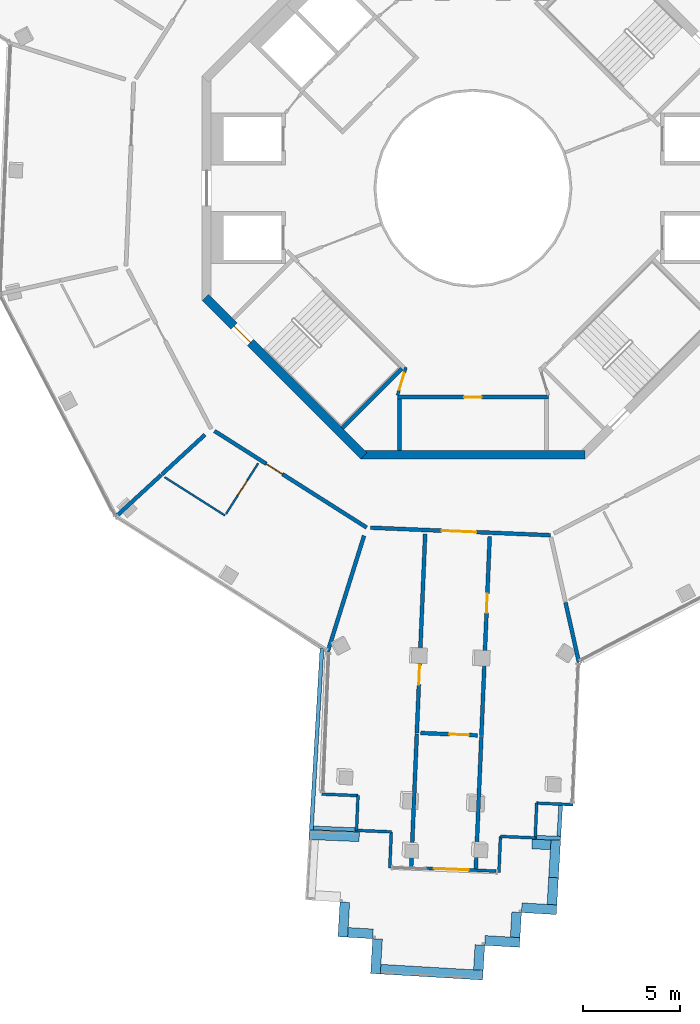
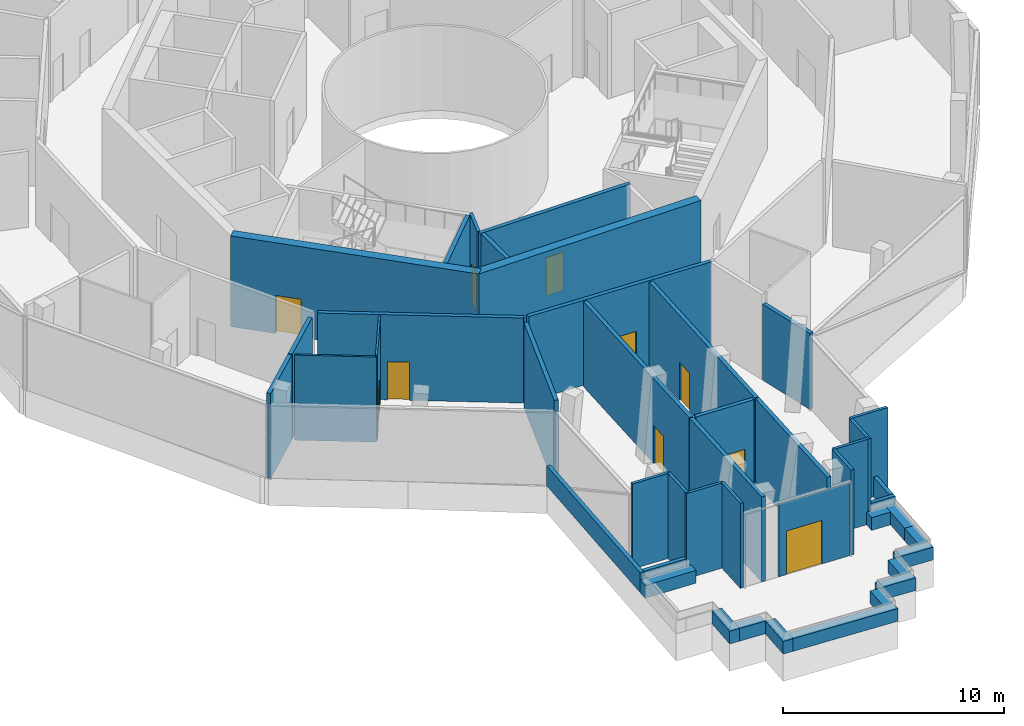
# One storey, part 11 of 21: 44 walls, 10 doors, 10 openings.
"""IFC4 building model written with IfcOpenShell, lengths in metres."""

from ifc_helpers import new_model, si_unit, direction, frame, frame_2d, origin, place, context, subcontext, project, spatial, rectangle, extrude, material, layer, layer_set, type_object, element, fill, save


model = new_model("IFC4")

# Units and contexts
model_context = context("Model", 3, precision=1e-05, world=origin(), true_north=direction((0.0, 1.0)))
body_context = subcontext(model_context, "Body", "Model", "MODEL_VIEW")
ifc_project = project(units=[si_unit("LENGTHUNIT", "METRE"), si_unit("AREAUNIT", "SQUARE_METRE"), si_unit("VOLUMEUNIT", "CUBIC_METRE"), si_unit("PLANEANGLEUNIT", "RADIAN"), si_unit("MASSUNIT", "GRAM", prefix="KILO")], contexts=[model_context])

# Site, building, storey
site_placement = place(None, origin())
site = spatial("IfcSite", under=ifc_project, at=site_placement, CompositionType="ELEMENT")
building_placement = place(site_placement, origin())
building = spatial("IfcBuilding", under=site, at=building_placement, Name="Verdalira Terraces Hotel", CompositionType="ELEMENT")
storey_placement = place(building_placement, frame((0.0, 0.0, 269.0)))
storey = spatial("IfcBuildingStorey", under=building, at=storey_placement, Name="L66", CompositionType="ELEMENT", Elevation=269.0)

# Walls
ifc_material_1 = material(Name="Concrete C40", Category="concrete")
ifc_layer_1 = layer(ifc_material_1, 0.5)
ifc_layer_set_1 = layer_set([ifc_layer_1], Name="Balcony planter trough with tree")
wall_type_1 = type_object("IfcWallType", Name="Balcony planter trough with tree", PredefinedType="SOLIDWALL", material=ifc_layer_set_1)
wall_1_placement = place(storey_placement, frame((-5.879883, -33.538574, 0.0), z_axis=(0.0, 0.0, 1.0), x_axis=(-0.99912128, 0.04191261, 0.0)))
element("IfcWall", 1, at=wall_1_placement, inside=storey, type_object=wall_type_1, Name="Balcony planter", PredefinedType="SOLIDWALL", context=body_context, shape_type="SweptSolid", body=[
    extrude(rectangle(XDim=2.592041, YDim=0.5, at=frame_2d((1.295898, 0.0))), origin(), (0.0, 0.0, 1.0), 0.699951),
])
wall_2_placement = place(storey_placement, frame((-6.625244, -36.918457, 0.0), z_axis=(0.0, 0.0, 1.0), x_axis=(-0.058594804, -0.998281848, 0.0)))
element("IfcWall", 2, at=wall_2_placement, inside=storey, type_object=wall_type_1, Name="Balcony planter", PredefinedType="SOLIDWALL", context=body_context, shape_type="SweptSolid", body=[
    extrude(rectangle(XDim=1.800049, YDim=0.5, at=frame_2d((0.899902, 0.0))), origin(), (0.0, 0.0, 1.0), 0.699951),
])
wall_3_placement = place(storey_placement, frame((-6.466309, -38.480469, 0.0), z_axis=(0.0, 0.0, 1.0), x_axis=(0.99828149, -0.058600908, 0.0)))
element("IfcWall", 3, at=wall_3_placement, inside=storey, type_object=wall_type_1, Name="Balcony planter", PredefinedType="SOLIDWALL", context=body_context, shape_type="SweptSolid", body=[
    extrude(rectangle(XDim=1.299805, YDim=0.5, at=frame_2d((0.649902, 0.0))), origin(), (0.0, 0.0, 1.0), 0.699951),
])
wall_4_placement = place(storey_placement, frame((-4.933838, -38.820801, 0.0), z_axis=(0.0, 0.0, 1.0), x_axis=(-0.058594804, -0.998281848, 0.0)))
element("IfcWall", 4, at=wall_4_placement, inside=storey, type_object=wall_type_1, Name="Balcony planter", PredefinedType="SOLIDWALL", context=body_context, shape_type="SweptSolid", body=[
    extrude(rectangle(XDim=1.800049, YDim=0.5, at=frame_2d((0.899902, 0.0))), origin(), (0.0, 0.0, 1.0), 0.699951),
])
wall_5_placement = place(storey_placement, frame((-4.774902, -40.382812, 0.0), z_axis=(0.0, 0.0, 1.0), x_axis=(0.998281831, -0.058595104, 0.0)))
element("IfcWall", 5, at=wall_5_placement, inside=storey, type_object=wall_type_1, Name="Balcony planter", PredefinedType="SOLIDWALL", context=body_context, shape_type="SweptSolid", body=[
    extrude(rectangle(XDim=5.299805, YDim=0.5, at=frame_2d((2.649902, 0.0))), origin(), (0.0, 0.0, 1.0), 0.699951),
])
wall_6_placement = place(storey_placement, frame((0.281006, -40.429199, 0.0), z_axis=(0.0, 0.0, 1.0), x_axis=(0.058589922, 0.998282135, 0.0)))
element("IfcWall", 6, at=wall_6_placement, inside=storey, type_object=wall_type_1, Name="Balcony planter", PredefinedType="SOLIDWALL", context=body_context, shape_type="SweptSolid", body=[
    extrude(rectangle(XDim=1.300049, YDim=0.5, at=frame_2d((0.649902, 0.0))), origin(), (0.0, 0.0, 1.0), 0.699951),
])
wall_7_placement = place(storey_placement, frame((0.621338, -38.896484, 0.0), z_axis=(0.0, 0.0, 1.0), x_axis=(0.998281848, -0.058594804, 0.0)))
element("IfcWall", 7, at=wall_7_placement, inside=storey, type_object=wall_type_1, Name="Balcony planter", PredefinedType="SOLIDWALL", context=body_context, shape_type="SweptSolid", body=[
    extrude(rectangle(XDim=1.800049, YDim=0.5, at=frame_2d((0.899902, 0.0))), origin(), (0.0, 0.0, 1.0), 0.699951),
])
wall_8_placement = place(storey_placement, frame((2.18335, -38.737793, 0.0), z_axis=(0.0, 0.0, 1.0), x_axis=(0.058589922, 0.998282135, 0.0)))
element("IfcWall", 8, at=wall_8_placement, inside=storey, type_object=wall_type_1, Name="Balcony planter", PredefinedType="SOLIDWALL", context=body_context, shape_type="SweptSolid", body=[
    extrude(rectangle(XDim=1.300049, YDim=0.5, at=frame_2d((0.649902, 0.0))), origin(), (0.0, 0.0, 1.0), 0.699951),
])
wall_9_placement = place(storey_placement, frame((2.523682, -37.205078, 0.0), z_axis=(0.0, 0.0, 1.0), x_axis=(0.998281848, -0.058594804, 0.0)))
element("IfcWall", 9, at=wall_9_placement, inside=storey, type_object=wall_type_1, Name="Balcony planter", PredefinedType="SOLIDWALL", context=body_context, shape_type="SweptSolid", body=[
    extrude(rectangle(XDim=1.800049, YDim=0.5, at=frame_2d((0.899902, 0.0))), origin(), (0.0, 0.0, 1.0), 0.699951),
])
wall_10_placement = place(storey_placement, frame((4.085693, -37.046387, 0.0), z_axis=(0.0, 0.0, 1.0), x_axis=(0.058640418, 0.99827917, 0.0)))
element("IfcWall", 10, at=wall_10_placement, inside=storey, type_object=wall_type_1, Name="Balcony planter", PredefinedType="SOLIDWALL", context=body_context, shape_type="SweptSolid", body=[
    extrude(rectangle(XDim=1.403076, YDim=0.5, at=frame_2d((0.70166, 0.0))), origin(), (0.0, 0.0, 1.0), 0.699951),
])
wall_11_placement = place(storey_placement, frame((4.167969, -35.645752, 0.0), z_axis=(0.0, 0.0, 1.0), x_axis=(0.058670359, 0.998277411, 0.0)))
element("IfcWall", 11, at=wall_11_placement, inside=storey, type_object=wall_type_1, Name="Balcony planter", PredefinedType="SOLIDWALL", context=body_context, shape_type="SweptSolid", body=[
    extrude(rectangle(XDim=1.939209, YDim=0.5, at=frame_2d((0.969727, 0.0))), origin(), (0.0, 0.0, 1.0), 0.699951),
])
wall_12_placement = place(storey_placement, frame((4.02124, -33.953613, 0.0), z_axis=(0.0, 0.0, 1.0), x_axis=(-0.999125196, 0.041819158, 0.0)))
element("IfcWall", 12, at=wall_12_placement, inside=storey, type_object=wall_type_1, Name="Balcony planter", PredefinedType="SOLIDWALL", context=body_context, shape_type="SweptSolid", body=[
    extrude(rectangle(XDim=0.968994, YDim=0.5, at=frame_2d((0.484375, 0.0))), origin(), (0.0, 0.0, 1.0), 0.699951),
])
ifc_material_2 = material(Name="Moisture-resistant gypsum board partition")
ifc_layer_2 = layer(ifc_material_2, 0.10009765625)
ifc_layer_set_2 = layer_set([ifc_layer_2], Name="Bathroom partition 100 mm")
wall_type_2 = type_object("IfcWallType", Name="Bathroom partition 100 mm", PredefinedType="PARTITIONING", material=ifc_layer_set_2)
wall_13_placement = place(storey_placement, frame((-12.821777, -16.922363, 0.0), z_axis=(0.0, 0.0, 1.0), x_axis=(-0.844342036, 0.53580456, 0.0)))
element("IfcWall", 13, at=wall_13_placement, inside=storey, type_object=wall_type_2, Name="Bathroom partition", PredefinedType="PARTITIONING", context=body_context, shape_type="SweptSolid", body=[
    extrude(rectangle(XDim=3.704102, YDim=0.100098, at=frame_2d((1.852051, 0.0))), origin(), (0.0, 0.0, 1.0), 4.689941),
])

# Wall, opening, door
wall_14_placement = place(storey_placement, frame((-12.768311, -16.837891, 0.0), z_axis=(0.0, 0.0, 1.0), x_axis=(0.535876266, 0.844296528, 0.0)))
wall_14 = element("IfcWall", 14, at=wall_14_placement, inside=storey, type_object=wall_type_2, Name="Bathroom partition", PredefinedType="PARTITIONING", context=body_context, shape_type="SweptSolid", body=[
    extrude(rectangle(XDim=3.099854, YDim=0.100098, at=frame_2d((1.549805, 0.0))), origin(), (0.0, 0.0, 1.0), 4.689941),
])
opening_1_placement = place(wall_14_placement, frame((1.149902, 0.0, 0.0)))
opening_1 = element("IfcOpeningElement", 15, at=opening_1_placement, cuts=wall_14, Name="Opening L66-109", PredefinedType="OPENING", context=body_context, shape_type="SweptSolid", body=[
    extrude(rectangle(XDim=0.899902, YDim=2.100098, at=frame_2d((0.449951, 1.050049))), frame((0.0, 0.060059, 0.0), z_axis=(0.0, -1.0, 0.0), x_axis=(1.0, 0.0, 0.0)), (0.0, 0.0, 1.0), 0.120117),
])
ifc_material_3 = material(Name="Timber door", Category="wood")
door_type_1 = type_object("IfcDoorType", Name="Bathroom door 900 x 2100", OperationType="NOTDEFINED", PredefinedType="DOOR", material=ifc_material_3)
door_1_placement = place(opening_1_placement, origin())
door_1 = element("IfcDoor", 16, at=door_1_placement, inside=storey, type_object=door_type_1, Name="Bathroom door 6604", OperationType="SINGLE_SWING_LEFT", OverallHeight=2.10009765625, OverallWidth=0.89990234375, PredefinedType="DOOR", context=body_context, shape_type="SweptSolid", body=[
    extrude(rectangle(XDim=0.899902, YDim=2.100098, at=frame_2d((0.449951, 1.050049))), frame((0.0, 0.024902, 0.0), z_axis=(0.0, -1.0, 0.0), x_axis=(1.0, 0.0, 0.0)), (0.0, 0.0, 1.0), 0.050049),
])
fill(opening_1, door_1)

ifc_material_4 = material(Name="Concrete C50", Category="concrete")
ifc_layer_3 = layer(ifc_material_4, 0.199951171875)
ifc_layer_set_3 = layer_set([ifc_layer_3], Name="Core RC wall 200 C50")
wall_type_3 = type_object("IfcWallType", Name="Core RC wall 200 C50", PredefinedType="SOLIDWALL", material=ifc_layer_set_3)
wall_15_placement = place(storey_placement, frame((-3.899902, -10.800049, 0.0), z_axis=(0.0, 0.0, 1.0), x_axis=(1.0, 0.0, 0.0)))
wall_15 = element("IfcWall", 17, at=wall_15_placement, inside=storey, type_object=wall_type_3, Name="L66 store front wall", PredefinedType="SOLIDWALL", context=body_context, shape_type="SweptSolid", body=[
    extrude(rectangle(XDim=7.799805, YDim=0.199951, at=frame_2d((3.899902, 0.0))), origin(), (0.0, 0.0, 1.0), 4.689941),
])
opening_2_placement = place(wall_15_placement, frame((3.449951, 0.0, 0.0)))
opening_2 = element("IfcOpeningElement", 18, at=opening_2_placement, cuts=wall_15, Name="Opening L66-801", PredefinedType="OPENING", context=body_context, shape_type="SweptSolid", body=[
    extrude(rectangle(XDim=0.899902, YDim=2.100098, at=frame_2d((0.449951, 1.050049))), frame((0.0, 0.109863, 0.0), z_axis=(0.0, -1.0, 0.0), x_axis=(1.0, 0.0, 0.0)), (0.0, 0.0, 1.0), 0.219971),
])
ifc_material_5 = material(Name="Steel fire door", Category="steel")
door_type_2 = type_object("IfcDoorType", Name="Core room door 900 x 2100", OperationType="NOTDEFINED", PredefinedType="DOOR", material=ifc_material_5)
door_2_placement = place(opening_2_placement, origin())
door_2 = element("IfcDoor", 19, at=door_2_placement, inside=storey, type_object=door_type_2, Name="Store door L66 SS", OperationType="SINGLE_SWING_LEFT", OverallHeight=2.10009765625, OverallWidth=0.89990234375, PredefinedType="DOOR", context=body_context, shape_type="SweptSolid", body=[
    extrude(rectangle(XDim=0.899902, YDim=2.100098, at=frame_2d((0.449951, 1.050049))), frame((0.0, 0.024902, 0.0), z_axis=(0.0, -1.0, 0.0), x_axis=(1.0, 0.0, 0.0)), (0.0, 0.0, 1.0), 0.050049),
])
fill(opening_2, door_2)

# Walls
wall_16_placement = place(storey_placement, frame((-3.800049, -10.899902, 0.0), z_axis=(0.0, 0.0, 1.0), x_axis=(0.0, -1.0, 0.0)))
element("IfcWall", 20, at=wall_16_placement, inside=storey, type_object=wall_type_3, Name="L66 store side wall", PredefinedType="SOLIDWALL", context=body_context, shape_type="SweptSolid", body=[
    extrude(rectangle(XDim=2.650146, YDim=0.199951, at=frame_2d((1.325195, 0.0))), origin(), (0.0, 0.0, 1.0), 4.689941),
])
wall_17_placement = place(storey_placement, frame((-3.677002, -9.33374, 0.0), z_axis=(0.0, 0.0, 1.0), x_axis=(-0.707106781, -0.707106781, 0.0)))
element("IfcWall", 21, at=wall_17_placement, inside=storey, type_object=wall_type_3, Name="L66 stair ST2 end wall 2", PredefinedType="SOLIDWALL", context=body_context, shape_type="SweptSolid", body=[
    extrude(rectangle(XDim=4.350098, YDim=0.199951, at=frame_2d((2.175049, 0.0))), origin(), (0.0, 0.0, 1.0), 4.689941),
])

# Wall, opening, door
ifc_material_6 = material(Name="Gypsum board partition")
ifc_layer_4 = layer(ifc_material_6, 0.14990234375)
ifc_layer_set_4 = layer_set([ifc_layer_4], Name="Core partition 150 mm")
wall_type_4 = type_object("IfcWallType", Name="Core partition 150 mm", PredefinedType="PARTITIONING", material=ifc_layer_set_4)
wall_18_placement = place(storey_placement, frame((-3.464844, -9.263184, 0.0), z_axis=(0.0, 0.0, 1.0), x_axis=(-0.289808785, -0.957084567, 0.0)))
wall_18 = element("IfcWall", 22, at=wall_18_placement, inside=storey, type_object=wall_type_4, Name="Room partition L66", PredefinedType="PARTITIONING", context=body_context, shape_type="SweptSolid", body=[
    extrude(rectangle(XDim=1.501221, YDim=0.149902, at=frame_2d((0.750488, 0.0))), origin(), (0.0, 0.0, 1.0), 4.689941),
])
opening_3_placement = place(wall_18_placement, frame((0.300781, 0.0, 0.0)))
opening_3 = element("IfcOpeningElement", 23, at=opening_3_placement, cuts=wall_18, Name="Opening L66-822", PredefinedType="OPENING", context=body_context, shape_type="SweptSolid", body=[
    extrude(rectangle(XDim=0.899902, YDim=2.100098, at=frame_2d((0.449951, 1.050049))), frame((0.0, 0.084961, 0.0), z_axis=(0.0, -1.0, 0.0), x_axis=(1.0, 0.0, 0.0)), (0.0, 0.0, 1.0), 0.169922),
])
door_3_placement = place(opening_3_placement, origin())
door_3 = element("IfcDoor", 24, at=door_3_placement, inside=storey, type_object=door_type_2, Name="Door L66 room5", OperationType="SINGLE_SWING_LEFT", OverallHeight=2.10009765625, OverallWidth=0.89990234375, PredefinedType="DOOR", context=body_context, shape_type="SweptSolid", body=[
    extrude(rectangle(XDim=0.899902, YDim=2.100098, at=frame_2d((0.449951, 1.050049))), frame((0.0, 0.024902, 0.0), z_axis=(0.0, -1.0, 0.0), x_axis=(1.0, 0.0, 0.0)), (0.0, 0.0, 1.0), 0.050049),
])
fill(opening_3, door_3)

ifc_material_7 = material(Name="Concrete C50", Category="concrete")
ifc_layer_5 = layer(ifc_material_7, 0.449951171875)
ifc_layer_set_5 = layer_set([ifc_layer_5], Name="Core wall 450 C50")
wall_type_5 = type_object("IfcWallType", Name="Core wall 450 C50", PredefinedType="SHEAR", material=ifc_layer_set_5)
wall_19_placement = place(storey_placement, frame((-13.84082, -5.639893, 0.0), z_axis=(0.0, 0.0, 1.0), x_axis=(0.707106781, -0.707106781, 0.0)))
wall_19 = element("IfcWall", 25, at=wall_19_placement, inside=storey, type_object=wall_type_5, Name="Core wall CW-L66-6", PredefinedType="SHEAR", context=body_context, shape_type="SweptSolid", body=[
    extrude(rectangle(XDim=11.5979, YDim=0.449951, at=frame_2d((5.798828, 0.0))), origin(), (0.0, 0.0, 1.0), 5.0),
])
opening_4_placement = place(wall_19_placement, frame((2.099121, 0.0, 0.0)))
opening_4 = element("IfcOpeningElement", 26, at=opening_4_placement, cuts=wall_19, Name="Opening L66-817", PredefinedType="OPENING", context=body_context, shape_type="SweptSolid", body=[
    extrude(rectangle(XDim=1.199951, YDim=2.100098, at=frame_2d((0.600098, 1.050049))), frame((0.0, 0.234863, 0.0), z_axis=(0.0, -1.0, 0.0), x_axis=(1.0, 0.0, 0.0)), (0.0, 0.0, 1.0), 0.469971),
])
ifc_material_8 = material(Name="Steel fire door", Category="steel")
door_type_3 = type_object("IfcDoorType", Name="Stair door 1200 x 2100", OperationType="NOTDEFINED", PredefinedType="DOOR", material=ifc_material_8)
door_4_placement = place(opening_4_placement, origin())
door_4 = element("IfcDoor", 27, at=door_4_placement, inside=storey, type_object=door_type_3, Name="Stair exit door ST2 L66", OperationType="SINGLE_SWING_LEFT", OverallHeight=2.10009765625, OverallWidth=1.199951171875, PredefinedType="DOOR", context=body_context, shape_type="SweptSolid", body=[
    extrude(rectangle(XDim=1.199951, YDim=2.100098, at=frame_2d((0.600098, 1.050049))), frame((0.0, 0.024902, 0.0), z_axis=(0.0, -1.0, 0.0), x_axis=(1.0, 0.0, 0.0)), (0.0, 0.0, 1.0), 0.050049),
])
fill(opening_4, door_4)

# Walls
wall_20_placement = place(storey_placement, frame((-5.799072, -13.774902, 0.0), z_axis=(0.0, 0.0, 1.0), x_axis=(1.0, 0.0, 0.0)))
element("IfcWall", 28, at=wall_20_placement, inside=storey, type_object=wall_type_5, Name="Core wall CW-L66-7", PredefinedType="SHEAR", context=body_context, shape_type="SweptSolid", body=[
    extrude(rectangle(XDim=11.598145, YDim=0.449951, at=frame_2d((5.799072, 0.0))), origin(), (0.0, 0.0, 1.0), 5.0),
])
ifc_material_9 = material(Name="Fire-rated gypsum board wall")
ifc_layer_6 = layer(ifc_material_9, 0.199951171875)
ifc_layer_set_6 = layer_set([ifc_layer_6], Name="Demising wall 200 mm")
wall_type_6 = type_object("IfcWallType", Name="Demising wall 200 mm", PredefinedType="SOLIDWALL", material=ifc_layer_set_6)
wall_21_placement = place(storey_placement, frame((-16.122559, -14.825439, 0.0), z_axis=(0.0, 0.0, 1.0), x_axis=(-0.736099185, -0.676873688, 0.0)))
element("IfcWall", 29, at=wall_21_placement, inside=storey, type_object=wall_type_6, Name="Demising wall", PredefinedType="SOLIDWALL", context=body_context, shape_type="SweptSolid", body=[
    extrude(rectangle(XDim=3.211182, YDim=0.199951, at=frame_2d((1.605469, 0.0))), origin(), (0.0, 0.0, 1.0), 4.689941),
])
wall_22_placement = place(storey_placement, frame((-13.862305, -12.74707, 0.0), z_axis=(0.0, 0.0, 1.0), x_axis=(-0.736111178, -0.676860646, 0.0)))
element("IfcWall", 30, at=wall_22_placement, inside=storey, type_object=wall_type_6, Name="Demising wall", PredefinedType="SOLIDWALL", context=body_context, shape_type="SweptSolid", body=[
    extrude(rectangle(XDim=3.024414, YDim=0.199951, at=frame_2d((1.512207, 0.0))), origin(), (0.0, 0.0, 1.0), 4.689941),
])
wall_23_placement = place(storey_placement, frame((-7.51001, -23.964844, 0.0), z_axis=(0.0, 0.0, 1.0), x_axis=(0.299013997, 0.954248725, 0.0)))
element("IfcWall", 31, at=wall_23_placement, inside=storey, type_object=wall_type_6, Name="Demising wall", PredefinedType="SOLIDWALL", context=body_context, shape_type="SweptSolid", body=[
    extrude(rectangle(XDim=6.281982, YDim=0.199951, at=frame_2d((3.141113, 0.0))), origin(), (0.0, 0.0, 1.0), 4.689941),
])
wall_24_placement = place(storey_placement, frame((-2.903564, -28.209473, 0.0), z_axis=(0.0, 0.0, 1.0), x_axis=(-0.041858334, -0.999123556, 0.0)))
element("IfcWall", 32, at=wall_24_placement, inside=storey, type_object=wall_type_6, Name="Demising wall", PredefinedType="SOLIDWALL", context=body_context, shape_type="SweptSolid", body=[
    extrude(rectangle(XDim=6.999023, YDim=0.199951, at=frame_2d((3.499512, 0.0))), origin(), (0.0, 0.0, 1.0), 4.689941),
])

# Wall, opening, door
wall_25_placement = place(storey_placement, frame((-2.901611, -28.163574, 0.0), z_axis=(0.0, 0.0, 1.0), x_axis=(0.041875002, 0.999122857, 0.0)))
wall_25 = element("IfcWall", 33, at=wall_25_placement, inside=storey, type_object=wall_type_6, Name="Demising wall", PredefinedType="SOLIDWALL", context=body_context, shape_type="SweptSolid", body=[
    extrude(rectangle(XDim=10.302002, YDim=0.199951, at=frame_2d((5.150879, 0.0))), origin(), (0.0, 0.0, 1.0), 4.689941),
])
opening_5_placement = place(wall_25_placement, frame((2.5, 0.0, 0.0)))
opening_5 = element("IfcOpeningElement", 34, at=opening_5_placement, cuts=wall_25, Name="Opening L66-111", PredefinedType="OPENING", context=body_context, shape_type="SweptSolid", body=[
    extrude(rectangle(XDim=1.0, YDim=2.100098, at=frame_2d((0.5, 1.050049))), frame((0.0, 0.109863, 0.0), z_axis=(0.0, -1.0, 0.0), x_axis=(1.0, 0.0, 0.0)), (0.0, 0.0, 1.0), 0.219971),
])
ifc_material_10 = material(Name="Timber fire door", Category="wood")
door_type_4 = type_object("IfcDoorType", Name="Public room door 1000 x 2100", OperationType="NOTDEFINED", PredefinedType="DOOR", material=ifc_material_10)
door_5_placement = place(opening_5_placement, origin())
door_5 = element("IfcDoor", 35, at=door_5_placement, inside=storey, type_object=door_type_4, Name="Public room door 6605", OperationType="SINGLE_SWING_LEFT", OverallHeight=2.10009765625, OverallWidth=1.0, PredefinedType="DOOR", context=body_context, shape_type="SweptSolid", body=[
    extrude(rectangle(XDim=1.0, YDim=2.100098, at=frame_2d((0.5, 1.050049))), frame((0.0, 0.024902, 0.0), z_axis=(0.0, -1.0, 0.0), x_axis=(1.0, 0.0, 0.0)), (0.0, 0.0, 1.0), 0.050049),
])
fill(opening_5, door_5)

wall_26_placement = place(storey_placement, frame((0.236816, -28.293213, 0.0), z_axis=(0.0, 0.0, 1.0), x_axis=(-0.999120946, 0.041920578, 0.0)))
wall_26 = element("IfcWall", 36, at=wall_26_placement, inside=storey, type_object=wall_type_6, Name="Demising wall", PredefinedType="SOLIDWALL", context=body_context, shape_type="SweptSolid", body=[
    extrude(rectangle(XDim=2.941162, YDim=0.199951, at=frame_2d((1.470703, 0.0))), origin(), (0.0, 0.0, 1.0), 4.689941),
])
opening_6_placement = place(wall_26_placement, frame((0.449951, 0.0, 0.0)))
opening_6 = element("IfcOpeningElement", 37, at=opening_6_placement, cuts=wall_26, Name="Opening L66-113", PredefinedType="OPENING", context=body_context, shape_type="SweptSolid", body=[
    extrude(rectangle(XDim=1.0, YDim=2.100098, at=frame_2d((0.5, 1.050049))), frame((0.0, 0.109863, 0.0), z_axis=(0.0, -1.0, 0.0), x_axis=(1.0, 0.0, 0.0)), (0.0, 0.0, 1.0), 0.219971),
])
door_6_placement = place(opening_6_placement, origin())
door_6 = element("IfcDoor", 38, at=door_6_placement, inside=storey, type_object=door_type_4, Name="Public room door 6605", OperationType="SINGLE_SWING_LEFT", OverallHeight=2.10009765625, OverallWidth=1.0, PredefinedType="DOOR", context=body_context, shape_type="SweptSolid", body=[
    extrude(rectangle(XDim=1.0, YDim=2.100098, at=frame_2d((0.5, 1.050049))), frame((0.0, 0.024902, 0.0), z_axis=(0.0, -1.0, 0.0), x_axis=(1.0, 0.0, 0.0)), (0.0, 0.0, 1.0), 0.050049),
])
fill(opening_6, door_6)

# Wall
wall_27_placement = place(storey_placement, frame((0.141602, -35.342285, 0.0), z_axis=(0.0, 0.0, 1.0), x_axis=(0.041893155, 0.999122096, 0.0)))
element("IfcWall", 39, at=wall_27_placement, inside=storey, type_object=wall_type_6, Name="Demising wall", PredefinedType="SOLIDWALL", context=body_context, shape_type="SweptSolid", body=[
    extrude(rectangle(XDim=6.999023, YDim=0.199951, at=frame_2d((3.499512, 0.0))), origin(), (0.0, 0.0, 1.0), 4.689941),
])

# Wall, opening, door
wall_28_placement = place(storey_placement, frame((0.868164, -18.010498, 0.0), z_axis=(0.0, 0.0, 1.0), x_axis=(-0.041875002, -0.999122857, 0.0)))
wall_28 = element("IfcWall", 40, at=wall_28_placement, inside=storey, type_object=wall_type_6, Name="Demising wall", PredefinedType="SOLIDWALL", context=body_context, shape_type="SweptSolid", body=[
    extrude(rectangle(XDim=10.302002, YDim=0.199951, at=frame_2d((5.150879, 0.0))), origin(), (0.0, 0.0, 1.0), 4.689941),
])
opening_7_placement = place(wall_28_placement, frame((2.949951, 0.0, 0.0)))
opening_7 = element("IfcOpeningElement", 41, at=opening_7_placement, cuts=wall_28, Name="Opening L66-112", PredefinedType="OPENING", context=body_context, shape_type="SweptSolid", body=[
    extrude(rectangle(XDim=1.0, YDim=2.100098, at=frame_2d((0.5, 1.050049))), frame((0.0, 0.109863, 0.0), z_axis=(0.0, -1.0, 0.0), x_axis=(1.0, 0.0, 0.0)), (0.0, 0.0, 1.0), 0.219971),
])
door_7_placement = place(opening_7_placement, origin())
door_7 = element("IfcDoor", 42, at=door_7_placement, inside=storey, type_object=door_type_4, Name="Public room door 6605", OperationType="SINGLE_SWING_LEFT", OverallHeight=2.10009765625, OverallWidth=1.0, PredefinedType="DOOR", context=body_context, shape_type="SweptSolid", body=[
    extrude(rectangle(XDim=1.0, YDim=2.100098, at=frame_2d((0.5, 1.050049))), frame((0.0, 0.024902, 0.0), z_axis=(0.0, -1.0, 0.0), x_axis=(1.0, 0.0, 0.0)), (0.0, 0.0, 1.0), 0.050049),
])
fill(opening_7, door_7)

# Wall
ifc_material_11 = material(Name="Fire-rated gypsum board wall")
ifc_layer_7 = layer(ifc_material_11, 0.199951171875)
ifc_layer_set_7 = layer_set([ifc_layer_7], Name="Demising wall 200 mm to beam soffit")
wall_type_7 = type_object("IfcWallType", Name="Demising wall 200 mm to beam soffit", PredefinedType="SOLIDWALL", material=ifc_layer_set_7)
wall_29_placement = place(storey_placement, frame((4.788818, -21.424072, 0.0), z_axis=(0.0, 0.0, 1.0), x_axis=(0.218165001, -0.975911898, 0.0)))
element("IfcWall", 43, at=wall_29_placement, inside=storey, type_object=wall_type_7, Name="Demising wall", PredefinedType="SOLIDWALL", context=body_context, shape_type="SweptSolid", body=[
    extrude(rectangle(XDim=3.161377, YDim=0.199951, at=frame_2d((1.580566, 0.0))), origin(), (0.0, 0.0, 1.0), 4.189941),
])

# Wall, opening, door
ifc_material_12 = material(Name="Fire-rated gypsum board wall")
ifc_layer_8 = layer(ifc_material_12, 0.199951171875)
ifc_layer_set_8 = layer_set([ifc_layer_8], Name="Guest corridor wall 200 mm")
wall_type_8 = type_object("IfcWallType", Name="Guest corridor wall 200 mm", PredefinedType="SOLIDWALL", material=ifc_layer_set_8)
wall_30_placement = place(storey_placement, frame((-5.497803, -17.543457, 0.0), z_axis=(0.0, 0.0, 1.0), x_axis=(-0.844333068, 0.535818692, 0.0)))
wall_30 = element("IfcWall", 44, at=wall_30_placement, inside=storey, type_object=wall_type_8, Name="Guest corridor wall", PredefinedType="SOLIDWALL", context=body_context, shape_type="SweptSolid", body=[
    extrude(rectangle(XDim=9.316406, YDim=0.199951, at=frame_2d((4.658203, 0.0))), origin(), (0.0, 0.0, 1.0), 4.689941),
])
opening_8_placement = place(wall_30_placement, frame((5.149902, 0.0, 0.0)))
opening_8 = element("IfcOpeningElement", 45, at=opening_8_placement, cuts=wall_30, Name="Opening L66-108", PredefinedType="OPENING", context=body_context, shape_type="SweptSolid", body=[
    extrude(rectangle(XDim=1.0, YDim=2.100098, at=frame_2d((0.5, 1.050049))), frame((0.0, 0.109863, 0.0), z_axis=(0.0, -1.0, 0.0), x_axis=(1.0, 0.0, 0.0)), (0.0, 0.0, 1.0), 0.219971),
])
ifc_material_13 = material(Name="Timber fire door", Category="wood")
door_type_5 = type_object("IfcDoorType", Name="Guest entry door 1000 x 2100", OperationType="NOTDEFINED", PredefinedType="DOOR", material=ifc_material_13)
door_8_placement = place(opening_8_placement, origin())
door_8 = element("IfcDoor", 46, at=door_8_placement, inside=storey, type_object=door_type_5, Name="Guest entry door 6604", OperationType="SINGLE_SWING_LEFT", OverallHeight=2.10009765625, OverallWidth=1.0, PredefinedType="DOOR", context=body_context, shape_type="SweptSolid", body=[
    extrude(rectangle(XDim=1.0, YDim=2.100098, at=frame_2d((0.5, 1.050049))), frame((0.0, 0.024902, 0.0), z_axis=(0.0, -1.0, 0.0), x_axis=(1.0, 0.0, 0.0)), (0.0, 0.0, 1.0), 0.050049),
])
fill(opening_8, door_8)

wall_31_placement = place(storey_placement, frame((4.010498, -17.941895, 0.0), z_axis=(0.0, 0.0, 1.0), x_axis=(-0.999123966, 0.041848536, 0.0)))
wall_31 = element("IfcWall", 47, at=wall_31_placement, inside=storey, type_object=wall_type_8, Name="Guest corridor wall", PredefinedType="SOLIDWALL", context=body_context, shape_type="SweptSolid", body=[
    extrude(rectangle(XDim=9.31665, YDim=0.199951, at=frame_2d((4.658203, 0.0))), origin(), (0.0, 0.0, 1.0), 4.689941),
])
opening_9_placement = place(wall_31_placement, frame((3.836914, 0.0, 0.0)))
opening_9 = element("IfcOpeningElement", 48, at=opening_9_placement, cuts=wall_31, Name="Opening L66-110", PredefinedType="OPENING", context=body_context, shape_type="SweptSolid", body=[
    extrude(rectangle(XDim=1.800049, YDim=2.100098, at=frame_2d((0.899902, 1.050049))), frame((0.0, 0.109863, 0.0), z_axis=(0.0, -1.0, 0.0), x_axis=(1.0, 0.0, 0.0)), (0.0, 0.0, 1.0), 0.219971),
])
ifc_material_14 = material(Name="Timber fire door", Category="wood")
door_type_6 = type_object("IfcDoorType", Name="Public room double door 1800 x 2100", OperationType="NOTDEFINED", PredefinedType="DOOR", material=ifc_material_14)
door_9_placement = place(opening_9_placement, origin())
door_9 = element("IfcDoor", 49, at=door_9_placement, inside=storey, type_object=door_type_6, Name="Public room double door 6605", OperationType="DOUBLE_DOOR_SINGLE_SWING", OverallHeight=2.10009765625, OverallWidth=1.800048828125, PredefinedType="DOOR", context=body_context, shape_type="SweptSolid", body=[
    extrude(rectangle(XDim=1.800049, YDim=2.100098, at=frame_2d((0.899902, 1.050049))), frame((0.0, 0.024902, 0.0), z_axis=(0.0, -1.0, 0.0), x_axis=(1.0, 0.0, 0.0)), (0.0, 0.0, 1.0), 0.050049),
])
fill(opening_9, door_9)

# Walls
ifc_material_15 = material(Name="Terracotta cladding", Category="masonry")
ifc_layer_9 = layer(ifc_material_15, 0.199951171875)
ifc_layer_set_9 = layer_set([ifc_layer_9], Name="Terracotta clad parapet 200")
wall_type_9 = type_object("IfcWallType", Name="Terracotta clad parapet 200", PredefinedType="PARAPET", material=ifc_layer_set_9)
wall_32_placement = place(storey_placement, frame((-7.807861, -23.791992, 0.0), z_axis=(0.0, 0.0, 1.0), x_axis=(-0.058618492, -0.998280458, 0.0)))
element("IfcWall", 50, at=wall_32_placement, inside=storey, type_object=wall_type_9, Name="Terracotta clad parapet", PredefinedType="PARAPET", context=body_context, shape_type="SweptSolid", body=[
    extrude(rectangle(XDim=9.400146, YDim=0.199951, at=frame_2d((4.700195, 0.0))), origin(), (0.0, 0.0, 1.0), 1.100098),
])
wall_33_placement = place(storey_placement, frame((-8.254639, -33.078613, 0.0), z_axis=(0.0, 0.0, 1.0), x_axis=(0.999121484, -0.041907752, 0.0)))
element("IfcWall", 51, at=wall_33_placement, inside=storey, type_object=wall_type_9, Name="Terracotta clad parapet", PredefinedType="PARAPET", context=body_context, shape_type="SweptSolid", body=[
    extrude(rectangle(XDim=2.161377, YDim=0.199951, at=frame_2d((1.080566, 0.0))), origin(), (0.0, 0.0, 1.0), 1.100098),
])
wall_34_placement = place(storey_placement, frame((3.29834, -33.562988, 0.0), z_axis=(0.0, 0.0, 1.0), x_axis=(0.99912657, -0.041786315, 0.0)))
element("IfcWall", 52, at=wall_34_placement, inside=storey, type_object=wall_type_9, Name="Terracotta clad parapet", PredefinedType="PARAPET", context=body_context, shape_type="SweptSolid", body=[
    extrude(rectangle(XDim=1.238525, YDim=0.199951, at=frame_2d((0.619141, 0.0))), origin(), (0.0, 0.0, 1.0), 1.100098),
])
wall_35_placement = place(storey_placement, frame((4.443604, -33.509277, 0.0), z_axis=(0.0, 0.0, 1.0), x_axis=(0.058586809, 0.998282318, 0.0)))
element("IfcWall", 53, at=wall_35_placement, inside=storey, type_object=wall_type_9, Name="Terracotta clad parapet", PredefinedType="PARAPET", context=body_context, shape_type="SweptSolid", body=[
    extrude(rectangle(XDim=1.587646, YDim=0.199951, at=frame_2d((0.793945, 0.0))), origin(), (0.0, 0.0, 1.0), 1.100098),
])
ifc_material_16 = material(Name="Terracotta cladding", Category="masonry")
ifc_layer_10 = layer(ifc_material_16, 0.14990234375)
ifc_layer_set_10 = layer_set([ifc_layer_10], Name="Terracotta clad wall 150")
wall_type_10 = type_object("IfcWallType", Name="Terracotta clad wall 150", PredefinedType="SOLIDWALL", material=ifc_layer_set_10)
wall_36_placement = place(storey_placement, frame((-7.818848, -31.330566, 0.0), z_axis=(0.0, 0.0, 1.0), x_axis=(0.999126063, -0.041798445, 0.0)))
element("IfcWall", 54, at=wall_36_placement, inside=storey, type_object=wall_type_10, Name="Terracotta cladding wall", PredefinedType="SOLIDWALL", context=body_context, shape_type="SweptSolid", body=[
    extrude(rectangle(XDim=1.875, YDim=0.149902, at=frame_2d((0.9375, 0.0))), origin(), (0.0, 0.0, 1.0), 4.689941),
])
wall_37_placement = place(storey_placement, frame((-5.945557, -31.408936, 0.0), z_axis=(0.0, 0.0, 1.0), x_axis=(-0.041777233, -0.99912695, 0.0)))
element("IfcWall", 55, at=wall_37_placement, inside=storey, type_object=wall_type_10, Name="Terracotta cladding wall", PredefinedType="SOLIDWALL", context=body_context, shape_type="SweptSolid", body=[
    extrude(rectangle(XDim=1.799805, YDim=0.149902, at=frame_2d((0.899902, 0.0))), origin(), (0.0, 0.0, 1.0), 4.689941),
])
for number, where, z_axis, x_axis, name in (
    (56, (-6.095703, -33.204346, 0.0), (0.0, 0.0, 1.0), (0.999126063, -0.041798445, 0.0), "Terracotta cladding wall"),
    (57, (-4.222412, -33.282715, 0.0), (0.0, 0.0, 1.0), (-0.041928429, -0.999120617, 0.0), "Terracotta cladding wall"),
):
    element("IfcWall", number, at=place(storey_placement, frame(where, z_axis=z_axis, x_axis=x_axis)), inside=storey, type_object=wall_type_10, Name=name, PredefinedType="SOLIDWALL", context=body_context, shape_type="SweptSolid", body=[
        extrude(rectangle(XDim=1.875, YDim=0.149902, at=frame_2d((0.9375, 0.0))), origin(), (0.0, 0.0, 1.0), 4.689941),
    ])
wall_38_placement = place(storey_placement, frame((1.343994, -35.392822, 0.0), z_axis=(0.0, 0.0, 1.0), x_axis=(0.041922975, 0.999120846, 0.0)))
element("IfcWall", 58, at=wall_38_placement, inside=storey, type_object=wall_type_10, Name="Terracotta cladding wall", PredefinedType="SOLIDWALL", context=body_context, shape_type="SweptSolid", body=[
    extrude(rectangle(XDim=1.875244, YDim=0.149902, at=frame_2d((0.9375, 0.0))), origin(), (0.0, 0.0, 1.0), 4.689941),
])
wall_39_placement = place(storey_placement, frame((1.422607, -33.519287, 0.0), z_axis=(0.0, 0.0, 1.0), x_axis=(0.999121279, -0.041912636, 0.0)))
element("IfcWall", 59, at=wall_39_placement, inside=storey, type_object=wall_type_10, Name="Terracotta cladding wall", PredefinedType="SOLIDWALL", context=body_context, shape_type="SweptSolid", body=[
    extrude(rectangle(XDim=1.799805, YDim=0.149902, at=frame_2d((0.899902, 0.0))), origin(), (0.0, 0.0, 1.0), 4.689941),
])
for number, where, z_axis, x_axis, name in (
    (60, (3.217773, -33.669678, 0.0), (0.0, 0.0, 1.0), (0.041928429, 0.999120617, 0.0), "Terracotta cladding wall"),
    (61, (3.296387, -31.796387, 0.0), (0.0, 0.0, 1.0), (0.999126063, -0.041798445, 0.0), "Terracotta cladding wall"),
):
    element("IfcWall", number, at=place(storey_placement, frame(where, z_axis=z_axis, x_axis=x_axis)), inside=storey, type_object=wall_type_10, Name=name, PredefinedType="SOLIDWALL", context=body_context, shape_type="SweptSolid", body=[
        extrude(rectangle(XDim=1.875, YDim=0.149902, at=frame_2d((0.9375, 0.0))), origin(), (0.0, 0.0, 1.0), 4.689941),
    ])

# Wall, opening, door
ifc_material_17 = material(Name="Terracotta cladding", Category="masonry")
ifc_layer_11 = layer(ifc_material_17, 0.14990234375)
ifc_layer_set_11 = layer_set([ifc_layer_11], Name="Terracotta door pier 150")
wall_type_11 = type_object("IfcWallType", Name="Terracotta door pier 150", PredefinedType="SOLIDWALL", material=ifc_layer_set_11)
wall_40_placement = place(storey_placement, frame((1.202393, -35.311768, 0.0), z_axis=(0.0, 0.0, 1.0), x_axis=(-0.99912264, 0.0418802, 0.0)))
wall_40 = element("IfcWall", 62, at=wall_40_placement, inside=storey, type_object=wall_type_11, Name="Terracotta door pier", PredefinedType="SOLIDWALL", context=body_context, shape_type="SweptSolid", body=[
    extrude(rectangle(XDim=3.620117, YDim=0.149902, at=frame_2d((1.810059, 0.0))), origin(), (0.0, 0.0, 1.0), 4.014893),
])
opening_10_placement = place(wall_40_placement, frame((1.419922, 0.0, 0.0)))
opening_10 = element("IfcOpeningElement", 63, at=opening_10_placement, cuts=wall_40, Name="Opening L66-G01", PredefinedType="OPENING", context=body_context, shape_type="SweptSolid", body=[
    extrude(rectangle(XDim=1.800049, YDim=2.399902, at=frame_2d((0.899902, 1.199951))), frame((0.0, 0.084961, 0.0), z_axis=(0.0, -1.0, 0.0), x_axis=(1.0, 0.0, 0.0)), (0.0, 0.0, 1.0), 0.169922),
])
ifc_material_18 = material(Name="Clear glass", Category="glass")
door_type_7 = type_object("IfcDoorType", Name="Garden double door 1800x2400", OperationType="NOTDEFINED", PredefinedType="DOOR", material=ifc_material_18)
door_10_placement = place(opening_10_placement, origin())
door_10 = element("IfcDoor", 64, at=door_10_placement, inside=storey, type_object=door_type_7, Name="Garden double door", OperationType="DOUBLE_DOOR_SINGLE_SWING", OverallHeight=2.39990234375, OverallWidth=1.800048828125, PredefinedType="DOOR", context=body_context, shape_type="SweptSolid", body=[
    extrude(rectangle(XDim=1.800049, YDim=2.399902, at=frame_2d((0.899902, 1.199951))), frame((0.0, 0.024902, 0.0), z_axis=(0.0, -1.0, 0.0), x_axis=(1.0, 0.0, 0.0)), (0.0, 0.0, 1.0), 0.050049),
])
fill(opening_10, door_10)

save(model, "model.ifc")
